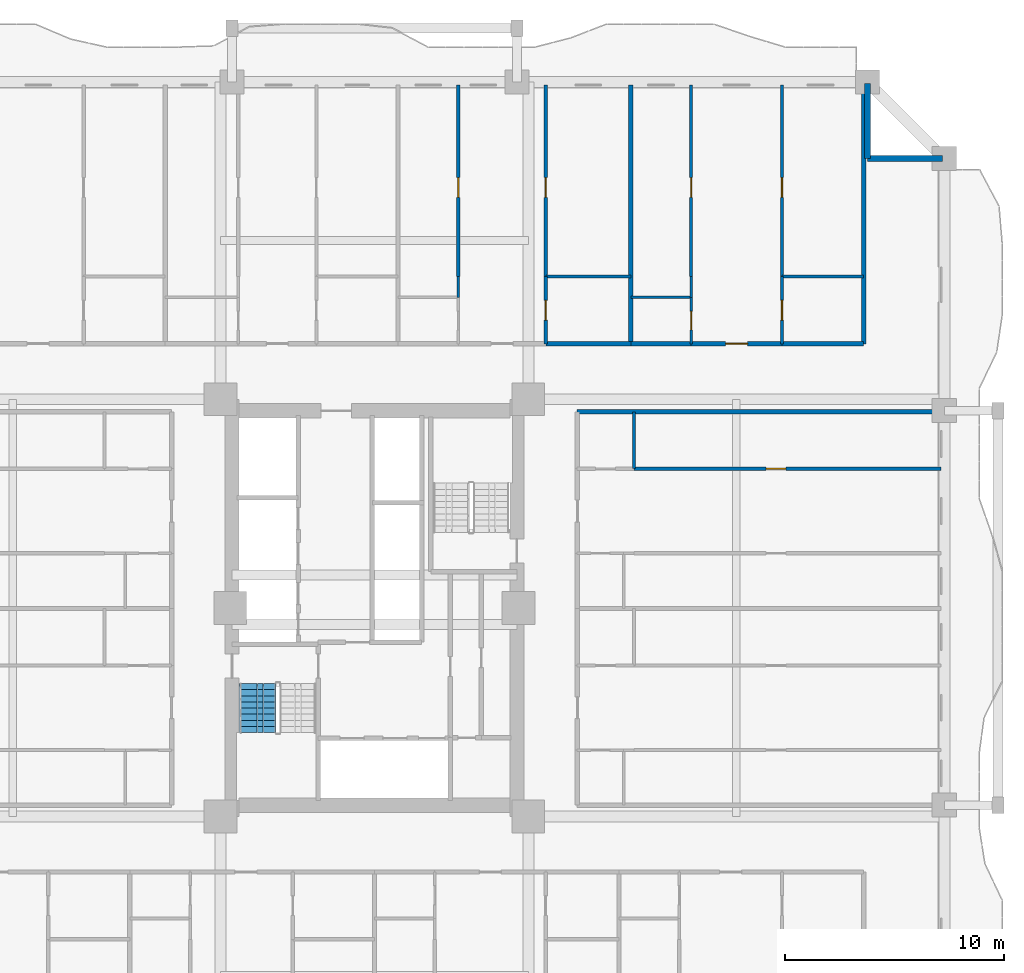
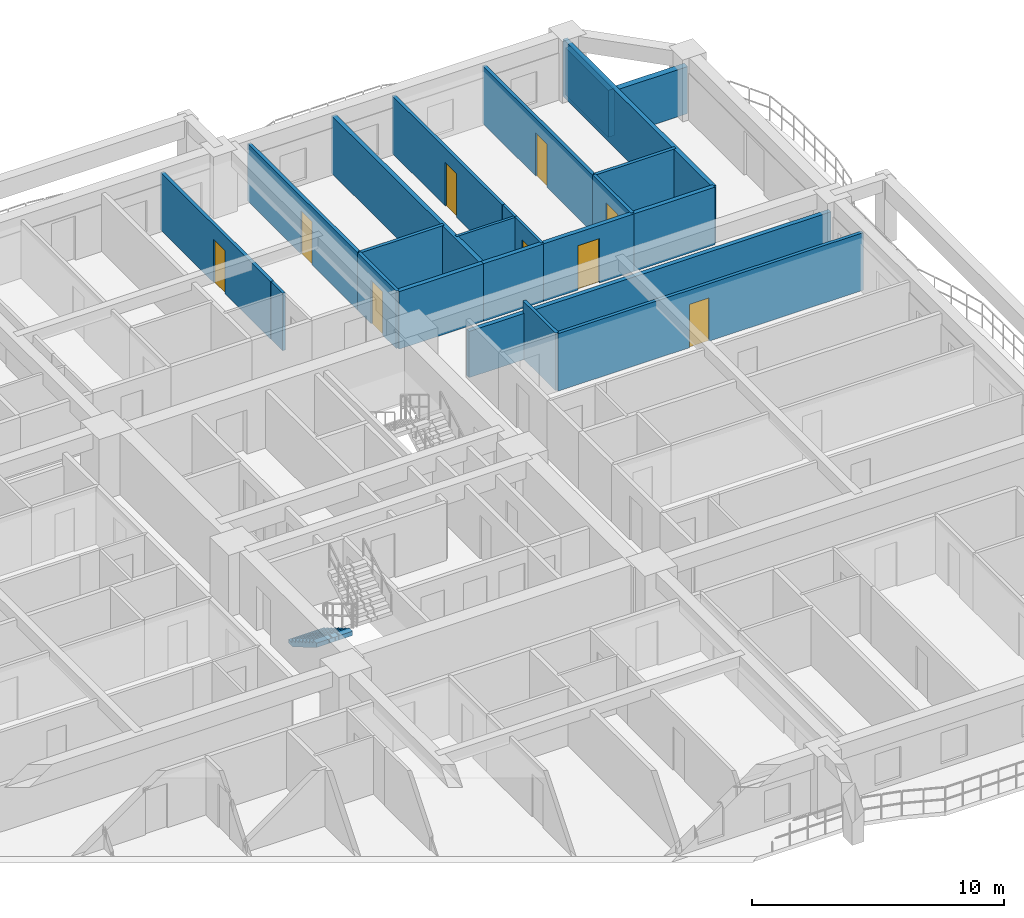
# One storey, part 8 of 16: 23 walls, 9 doors, 1 stair flight, 9 openings, 1 element without a shape of its own.
"""IFC4 building model written with IfcOpenShell, lengths in metres."""

from ifc_helpers import new_model, si_unit, direction, frame, frame_2d, origin, place, context, subcontext, project, spatial, polyline, rectangle, outline, extrude, source, transform, mapped, material, layer, layer_set, type_object, element, fill, aggregate, save


model = new_model("IFC4")

# Units and contexts
model_context = context("Model", 3, precision=1e-05, world=origin(), true_north=direction((0.0, 1.0)))
body_context = subcontext(model_context, "Body", "Model", "MODEL_VIEW")
ifc_project = project(units=[si_unit("LENGTHUNIT", "METRE"), si_unit("AREAUNIT", "SQUARE_METRE"), si_unit("VOLUMEUNIT", "CUBIC_METRE"), si_unit("PLANEANGLEUNIT", "RADIAN"), si_unit("MASSUNIT", "GRAM", prefix="KILO")], contexts=[model_context])

# Site, building, storey
site_placement = place(None, origin())
site = spatial("IfcSite", under=ifc_project, at=site_placement, CompositionType="ELEMENT")
building_placement = place(site_placement, origin())
building = spatial("IfcBuilding", under=site, at=building_placement, Name="Saelheon Loggia Tower", CompositionType="ELEMENT")
storey_placement = place(building_placement, frame((0.0, 0.0, 64.39990234375)))
storey = spatial("IfcBuildingStorey", under=building, at=storey_placement, Name="L20", CompositionType="ELEMENT", Elevation=64.39990234375)

# Walls
ifc_material_1 = material(Name="Architectural Precast Concrete C40/50", Category="concrete")
ifc_layer_1 = layer(ifc_material_1, 0.280029296875)
ifc_layer_set_1 = layer_set([ifc_layer_1], Name="Architectural Precast Concrete C40/50")
wall_type_1 = type_object("IfcWallType", Name="Wall_Ext_Loggia_280", PredefinedType="SOLIDWALL", material=ifc_layer_set_1)
for number, where, z_axis, x_axis, name in (
    (1, (60.5, 47.5, 0.0), (0.0, 0.0, 1.0), (0.0, 1.0, 0.0), "L20 Corner Notch Precast Wall NE1"),
    (2, (60.5, 47.5, 0.0), (0.0, 0.0, 1.0), (1.0, 0.0, 0.0), "L20 Corner Notch Precast Wall NE2"),
):
    element("IfcWall", number, at=place(storey_placement, frame(where, z_axis=z_axis, x_axis=x_axis)), inside=storey, type_object=wall_type_1, Name=name, PredefinedType="SOLIDWALL", context=body_context, shape_type="SweptSolid", body=[
        extrude(rectangle(XDim=3.419921875, YDim=0.280029296875, at=frame_2d((1.7099609375, 0.0))), origin(), (0.0, 0.0, 1.0), 2.280029296875),
    ])
ifc_material_2 = material(Name="Lightweight Autoclaved Aerated Concrete Block and Acoustic Gypsum", Category="concrete")
ifc_layer_2 = layer(ifc_material_2, 0.14990234375)
ifc_layer_set_2 = layer_set([ifc_layer_2], Name="Lightweight Autoclaved Aerated Concrete Block and Acoustic Gypsum")
wall_type_2 = type_object("IfcWallType", Name="Wall_Part_150", PredefinedType="PARTITIONING", material=ifc_layer_set_2)
wall_1_placement = place(storey_placement, frame((45.820068359375, 42.1201171875, 0.0), z_axis=(0.0, 0.0, 1.0), x_axis=(1.0, 0.0, 0.0)))
element("IfcWall", 3, at=wall_1_placement, inside=storey, type_object=wall_type_2, Name="L20 N Partition V31", PredefinedType="PARTITIONING", context=body_context, shape_type="SweptSolid", body=[
    extrude(rectangle(XDim=3.87744140625, YDim=0.14990234375, at=frame_2d((1.938720703125, 0.0))), origin(), (0.0, 0.0, 1.0), 2.7900390625),
])

# Wall, opening, door
wall_2_placement = place(storey_placement, frame((41.824951171875, 42.1201171875, 0.0), z_axis=(0.0, 0.0, 1.0), x_axis=(0.0, 1.0, 0.0)))
wall_2 = element("IfcWall", 4, at=wall_2_placement, inside=storey, type_object=wall_type_2, Name="L20 N Partition U34", PredefinedType="PARTITIONING", context=body_context, shape_type="SweptSolid", body=[
    extrude(rectangle(XDim=8.72998046875, YDim=0.14990234375, at=frame_2d((4.364990234375, 0.0))), origin(), (0.0, 0.0, 1.0), 2.7900390625),
])
opening_1_placement = place(wall_2_placement, frame((3.60888671875, 0.0, 0.0)))
opening_1 = element("IfcOpeningElement", 5, at=opening_1_placement, cuts=wall_2, Name="Opening D-IN2", PredefinedType="OPENING", context=body_context, shape_type="SweptSolid", body=[
    extrude(rectangle(XDim=0.89990234375, YDim=2.10009765625, at=frame_2d((0.449951171875, 1.050048828125))), frame((0.0, 0.0869140625, 0.0), z_axis=(0.0, -1.0, 0.0), x_axis=(1.0, 0.0, 0.0)), (0.0, 0.0, 1.0), 0.173828125),
])
ifc_material_3 = material(Name="Engineered Oak Flush Door", Category="timber")
door_type_1 = type_object("IfcDoorType", Name="Door_Int_900", OperationType="NOTDEFINED", PredefinedType="DOOR", material=ifc_material_3)
shared_shape_1 = source(origin(), body_context, "Body", "SweptSolid", [
    extrude(rectangle(XDim=0.89990234375, YDim=2.10009765625, at=frame_2d((0.449951171875, 1.050048828125))), frame((0.0, 0.02490234375, 0.0), z_axis=(0.0, -1.0, 0.0), x_axis=(1.0, 0.0, 0.0)), (0.0, 0.0, 1.0), 0.050048828125),
])
door_1_placement = place(opening_1_placement, origin())
door_1 = element("IfcDoor", 6, at=door_1_placement, inside=storey, type_object=door_type_1, Name="Unit U07 Kitchen Door", OperationType="SINGLE_SWING_LEFT", OverallHeight=2.10009765625, OverallWidth=0.89990234375, PredefinedType="DOOR", context=body_context, shape_type="MappedRepresentation", body=[
    mapped(shared_shape_1, transform((0.0, 0.0, 0.0), scale=1.0)),
])
fill(opening_1, door_1)

wall_3_placement = place(storey_placement, frame((45.820068359375, 39.050048828125, 0.0), z_axis=(0.0, 0.0, 1.0), x_axis=(0.0, 1.0, 0.0)))
wall_3 = element("IfcWall", 7, at=wall_3_placement, inside=storey, type_object=wall_type_2, Name="L20 N Partition U35", PredefinedType="PARTITIONING", context=body_context, shape_type="SweptSolid", body=[
    extrude(rectangle(XDim=3.070068359375, YDim=0.14990234375, at=frame_2d((1.53515625, 0.0))), origin(), (0.0, 0.0, 1.0), 2.7900390625),
])
opening_2_placement = place(wall_3_placement, frame((1.0849609375, 0.0, 0.0)))
opening_2 = element("IfcOpeningElement", 8, at=opening_2_placement, cuts=wall_3, Name="Opening D-IN2", PredefinedType="OPENING", context=body_context, shape_type="SweptSolid", body=[
    extrude(rectangle(XDim=0.89990234375, YDim=2.10009765625, at=frame_2d((0.449951171875, 1.050048828125))), frame((0.0, 0.0869140625, 0.0), z_axis=(0.0, -1.0, 0.0), x_axis=(1.0, 0.0, 0.0)), (0.0, 0.0, 1.0), 0.173828125),
])
door_2_placement = place(opening_2_placement, origin())
door_2 = element("IfcDoor", 9, at=door_2_placement, inside=storey, type_object=door_type_1, Name="Unit U07 Dressing Closet Door", OperationType="SINGLE_SWING_RIGHT", OverallHeight=2.10009765625, OverallWidth=0.89990234375, PredefinedType="DOOR", context=body_context, shape_type="MappedRepresentation", body=[
    mapped(shared_shape_1, transform((0.0, 0.0, 0.0), scale=1.0)),
])
fill(opening_2, door_2)

wall_4_placement = place(storey_placement, frame((45.820068359375, 42.1201171875, 0.0), z_axis=(0.0, 0.0, 1.0), x_axis=(0.0, 1.0, 0.0)))
wall_4 = element("IfcWall", 10, at=wall_4_placement, inside=storey, type_object=wall_type_2, Name="L20 N Partition U36", PredefinedType="PARTITIONING", context=body_context, shape_type="SweptSolid", body=[
    extrude(rectangle(XDim=8.72998046875, YDim=0.14990234375, at=frame_2d((4.364990234375, 0.0))), origin(), (0.0, 0.0, 1.0), 2.7900390625),
])
opening_3_placement = place(wall_4_placement, frame((3.60888671875, 0.0, 0.0)))
opening_3 = element("IfcOpeningElement", 11, at=opening_3_placement, cuts=wall_4, Name="Opening D-IN2", PredefinedType="OPENING", context=body_context, shape_type="SweptSolid", body=[
    extrude(rectangle(XDim=0.89990234375, YDim=2.10009765625, at=frame_2d((0.449951171875, 1.050048828125))), frame((0.0, 0.0869140625, 0.0), z_axis=(0.0, -1.0, 0.0), x_axis=(1.0, 0.0, 0.0)), (0.0, 0.0, 1.0), 0.173828125),
])
door_3_placement = place(opening_3_placement, origin())
door_3 = element("IfcDoor", 12, at=door_3_placement, inside=storey, type_object=door_type_1, Name="Unit U07 Bedroom 1 Door", OperationType="SINGLE_SWING_LEFT", OverallHeight=2.10009765625, OverallWidth=0.89990234375, PredefinedType="DOOR", context=body_context, shape_type="MappedRepresentation", body=[
    mapped(shared_shape_1, transform((0.0, 0.0, 0.0), scale=1.0)),
])
fill(opening_3, door_3)

# Wall
wall_5_placement = place(storey_placement, frame((56.59716796875, 42.1201171875, 0.0), z_axis=(0.0, 0.0, 1.0), x_axis=(1.0, 0.0, 0.0)))
element("IfcWall", 13, at=wall_5_placement, inside=storey, type_object=wall_type_2, Name="L20 N Partition V42", PredefinedType="PARTITIONING", context=body_context, shape_type="SweptSolid", body=[
    extrude(rectangle(XDim=3.722900390625, YDim=0.14990234375, at=frame_2d((1.861328125, 0.0))), origin(), (0.0, 0.0, 1.0), 2.7900390625),
])

# Wall, opening, door
wall_6_placement = place(storey_placement, frame((52.447509765625, 42.1201171875, 0.0), z_axis=(0.0, 0.0, 1.0), x_axis=(0.0, 1.0, 0.0)))
wall_6 = element("IfcWall", 14, at=wall_6_placement, inside=storey, type_object=wall_type_2, Name="L20 N Partition U45", PredefinedType="PARTITIONING", context=body_context, shape_type="SweptSolid", body=[
    extrude(rectangle(XDim=8.72998046875, YDim=0.14990234375, at=frame_2d((4.364990234375, 0.0))), origin(), (0.0, 0.0, 1.0), 2.7900390625),
])
opening_4_placement = place(wall_6_placement, frame((3.60888671875, 0.0, 0.0)))
opening_4 = element("IfcOpeningElement", 15, at=opening_4_placement, cuts=wall_6, Name="Opening D-IN2", PredefinedType="OPENING", context=body_context, shape_type="SweptSolid", body=[
    extrude(rectangle(XDim=0.89990234375, YDim=2.10009765625, at=frame_2d((0.449951171875, 1.050048828125))), frame((0.0, 0.0869140625, 0.0), z_axis=(0.0, -1.0, 0.0), x_axis=(1.0, 0.0, 0.0)), (0.0, 0.0, 1.0), 0.173828125),
])
door_4_placement = place(opening_4_placement, origin())
door_4 = element("IfcDoor", 16, at=door_4_placement, inside=storey, type_object=door_type_1, Name="Unit U08 Kitchen Door", OperationType="SINGLE_SWING_RIGHT", OverallHeight=2.10009765625, OverallWidth=0.89990234375, PredefinedType="DOOR", context=body_context, shape_type="MappedRepresentation", body=[
    mapped(shared_shape_1, transform((0.0, 0.0, 0.0), scale=1.0)),
])
fill(opening_4, door_4)

wall_7_placement = place(storey_placement, frame((56.59716796875, 39.050048828125, 0.0), z_axis=(0.0, 0.0, 1.0), x_axis=(0.0, 1.0, 0.0)))
wall_7 = element("IfcWall", 17, at=wall_7_placement, inside=storey, type_object=wall_type_2, Name="L20 N Partition U46", PredefinedType="PARTITIONING", context=body_context, shape_type="SweptSolid", body=[
    extrude(rectangle(XDim=3.070068359375, YDim=0.14990234375, at=frame_2d((1.53515625, 0.0))), origin(), (0.0, 0.0, 1.0), 2.7900390625),
])
opening_5_placement = place(wall_7_placement, frame((1.0849609375, 0.0, 0.0)))
opening_5 = element("IfcOpeningElement", 18, at=opening_5_placement, cuts=wall_7, Name="Opening D-IN2", PredefinedType="OPENING", context=body_context, shape_type="SweptSolid", body=[
    extrude(rectangle(XDim=0.89990234375, YDim=2.10009765625, at=frame_2d((0.449951171875, 1.050048828125))), frame((0.0, 0.0869140625, 0.0), z_axis=(0.0, -1.0, 0.0), x_axis=(1.0, 0.0, 0.0)), (0.0, 0.0, 1.0), 0.173828125),
])
door_5_placement = place(opening_5_placement, origin())
door_5 = element("IfcDoor", 19, at=door_5_placement, inside=storey, type_object=door_type_1, Name="Unit U08 Dressing Closet Door", OperationType="SINGLE_SWING_LEFT", OverallHeight=2.10009765625, OverallWidth=0.89990234375, PredefinedType="DOOR", context=body_context, shape_type="MappedRepresentation", body=[
    mapped(shared_shape_1, transform((0.0, 0.0, 0.0), scale=1.0)),
])
fill(opening_5, door_5)

wall_8_placement = place(storey_placement, frame((56.59716796875, 42.1201171875, 0.0), z_axis=(0.0, 0.0, 1.0), x_axis=(0.0, 1.0, 0.0)))
wall_8 = element("IfcWall", 20, at=wall_8_placement, inside=storey, type_object=wall_type_2, Name="L20 N Partition U47", PredefinedType="PARTITIONING", context=body_context, shape_type="SweptSolid", body=[
    extrude(rectangle(XDim=8.72998046875, YDim=0.14990234375, at=frame_2d((4.364990234375, 0.0))), origin(), (0.0, 0.0, 1.0), 2.7900390625),
])
opening_6_placement = place(wall_8_placement, frame((3.60888671875, 0.0, 0.0)))
opening_6 = element("IfcOpeningElement", 21, at=opening_6_placement, cuts=wall_8, Name="Opening D-IN2", PredefinedType="OPENING", context=body_context, shape_type="SweptSolid", body=[
    extrude(rectangle(XDim=0.89990234375, YDim=2.10009765625, at=frame_2d((0.449951171875, 1.050048828125))), frame((0.0, 0.0869140625, 0.0), z_axis=(0.0, -1.0, 0.0), x_axis=(1.0, 0.0, 0.0)), (0.0, 0.0, 1.0), 0.173828125),
])
door_6_placement = place(opening_6_placement, origin())
door_6 = element("IfcDoor", 22, at=door_6_placement, inside=storey, type_object=door_type_1, Name="Unit U08 Bedroom 1 Door", OperationType="SINGLE_SWING_RIGHT", OverallHeight=2.10009765625, OverallWidth=0.89990234375, PredefinedType="DOOR", context=body_context, shape_type="MappedRepresentation", body=[
    mapped(shared_shape_1, transform((0.0, 0.0, 0.0), scale=1.0)),
])
fill(opening_6, door_6)

# Wall
wall_9_placement = place(storey_placement, frame((49.840087890625, 33.35009765625, 0.0), z_axis=(0.0, 0.0, 1.0), x_axis=(0.0, 1.0, 0.0)))
element("IfcWall", 23, at=wall_9_placement, inside=storey, type_object=wall_type_2, Name="L20 E Partition V18", PredefinedType="PARTITIONING", context=body_context, shape_type="SweptSolid", body=[
    extrude(rectangle(XDim=2.599853515625, YDim=0.14990234375, at=frame_2d((1.2998046875, 0.0))), origin(), (0.0, 0.0, 1.0), 2.7900390625),
])

# Wall, opening, door
wall_10_placement = place(storey_placement, frame((49.840087890625, 33.35009765625, 0.0), z_axis=(0.0, 0.0, 1.0), x_axis=(1.0, 0.0, 0.0)))
wall_10 = element("IfcWall", 24, at=wall_10_placement, inside=storey, type_object=wall_type_2, Name="L20 E Partition U23", PredefinedType="PARTITIONING", context=body_context, shape_type="SweptSolid", body=[
    extrude(rectangle(XDim=14.010009765625, YDim=0.14990234375, at=frame_2d((7.0048828125, 0.0))), origin(), (0.0, 0.0, 1.0), 2.7900390625),
])
opening_7_placement = place(wall_10_placement, frame((6.02880859375, 0.0, 0.0)))
opening_7 = element("IfcOpeningElement", 25, at=opening_7_placement, cuts=wall_10, Name="Opening D-IN2", PredefinedType="OPENING", context=body_context, shape_type="SweptSolid", body=[
    extrude(rectangle(XDim=0.89990234375, YDim=2.10009765625, at=frame_2d((0.449951171875, 1.050048828125))), frame((0.0, 0.0869140625, 0.0), z_axis=(0.0, -1.0, 0.0), x_axis=(1.0, 0.0, 0.0)), (0.0, 0.0, 1.0), 0.173828125),
])
door_7_placement = place(opening_7_placement, origin())
door_7 = element("IfcDoor", 26, at=door_7_placement, inside=storey, type_object=door_type_1, Name="Unit U12 Bedroom 1 Door", OperationType="SINGLE_SWING_RIGHT", OverallHeight=2.10009765625, OverallWidth=0.89990234375, PredefinedType="DOOR", context=body_context, shape_type="MappedRepresentation", body=[
    mapped(shared_shape_1, transform((0.0, 0.0, 0.0), scale=1.0)),
])
fill(opening_7, door_7)

# Walls
ifc_material_4 = material(Name="Double Acoustic Stud and Fireboard Partition", Category="gypsum")
ifc_layer_3 = layer(ifc_material_4, 0.199951171875)
ifc_layer_set_3 = layer_set([ifc_layer_3], Name="Double Acoustic Stud and Fireboard Partition")
wall_type_3 = type_object("IfcWallType", Name="Wall_Party_200", PredefinedType="PARTITIONING", material=ifc_layer_set_3)
wall_11_placement = place(storey_placement, frame((60.320068359375, 39.050048828125, 0.0), z_axis=(0.0, 0.0, 1.0), x_axis=(0.0, 1.0, 0.0)))
element("IfcWall", 27, at=wall_11_placement, inside=storey, type_object=wall_type_3, Name="L20 N Partition U02", PredefinedType="PARTITIONING", context=body_context, shape_type="SweptSolid", body=[
    extrude(rectangle(XDim=11.800048828125, YDim=0.199951171875, at=frame_2d((5.89990234375, 0.0))), origin(), (0.0, 0.0, 1.0), 2.7900390625),
])
wall_12_placement = place(storey_placement, frame((45.820068359375, 39.050048828125, 0.0), z_axis=(0.0, 0.0, 1.0), x_axis=(1.0, 0.0, 0.0)))
element("IfcWall", 28, at=wall_12_placement, inside=storey, type_object=wall_type_3, Name="L20 N Partition V29", PredefinedType="PARTITIONING", context=body_context, shape_type="SweptSolid", body=[
    extrude(rectangle(XDim=3.87744140625, YDim=0.199951171875, at=frame_2d((1.938720703125, 0.0))), origin(), (0.0, 0.0, 1.0), 2.7900390625),
])
wall_13_placement = place(storey_placement, frame((49.697509765625, 39.050048828125, 0.0), z_axis=(0.0, 0.0, 1.0), x_axis=(0.0, 1.0, 0.0)))
element("IfcWall", 29, at=wall_13_placement, inside=storey, type_object=wall_type_3, Name="L20 N Partition U37", PredefinedType="PARTITIONING", context=body_context, shape_type="SweptSolid", body=[
    extrude(rectangle(XDim=11.800048828125, YDim=0.199951171875, at=frame_2d((5.89990234375, 0.0))), origin(), (0.0, 0.0, 1.0), 2.7900390625),
])
wall_14_placement = place(storey_placement, frame((49.697509765625, 39.050048828125, 0.0), z_axis=(0.0, 0.0, 1.0), x_axis=(1.0, 0.0, 0.0)))
element("IfcWall", 30, at=wall_14_placement, inside=storey, type_object=wall_type_3, Name="L20 N Partition V38", PredefinedType="PARTITIONING", context=body_context, shape_type="SweptSolid", body=[
    extrude(rectangle(XDim=2.75, YDim=0.199951171875, at=frame_2d((1.375, 0.0))), origin(), (0.0, 0.0, 1.0), 2.7900390625),
])

# Wall, opening, door
wall_15_placement = place(storey_placement, frame((52.447509765625, 39.050048828125, 0.0), z_axis=(0.0, 0.0, 1.0), x_axis=(1.0, 0.0, 0.0)))
wall_15 = element("IfcWall", 31, at=wall_15_placement, inside=storey, type_object=wall_type_3, Name="L20 N Partition V39", PredefinedType="PARTITIONING", context=body_context, shape_type="SweptSolid", body=[
    extrude(rectangle(XDim=4.149658203125, YDim=0.199951171875, at=frame_2d((2.07470703125, 0.0))), origin(), (0.0, 0.0, 1.0), 2.7900390625),
])
opening_8_placement = place(wall_15_placement, frame((1.574951171875, 0.0, 0.0)))
opening_8 = element("IfcOpeningElement", 32, at=opening_8_placement, cuts=wall_15, Name="Opening D-FD1", PredefinedType="OPENING", context=body_context, shape_type="SweptSolid", body=[
    extrude(rectangle(XDim=1.0, YDim=2.14990234375, at=frame_2d((0.5, 1.074951171875))), frame((0.0, 0.112060546875, 0.0), z_axis=(0.0, -1.0, 0.0), x_axis=(1.0, 0.0, 0.0)), (0.0, 0.0, 1.0), 0.223876953125),
])
ifc_material_5 = material(Name="Fire-Rated Engineered Timber Entrance Door", Category="wood")
door_type_2 = type_object("IfcDoorType", Name="Door_Flat_FD30S", OperationType="NOTDEFINED", PredefinedType="DOOR", material=ifc_material_5)
shared_shape_2 = source(origin(), body_context, "Body", "SweptSolid", [
    extrude(rectangle(XDim=1.0, YDim=2.14990234375, at=frame_2d((0.5, 1.074951171875))), frame((0.0, 0.02490234375, 0.0), z_axis=(0.0, -1.0, 0.0), x_axis=(1.0, 0.0, 0.0)), (0.0, 0.0, 1.0), 0.050048828125),
])
door_8_placement = place(opening_8_placement, origin())
door_8 = element("IfcDoor", 33, at=door_8_placement, inside=storey, type_object=door_type_2, Name="Unit U08 Entrance Door", OperationType="SINGLE_SWING_RIGHT", OverallHeight=2.14990234375, OverallWidth=1.0, PredefinedType="DOOR", context=body_context, shape_type="MappedRepresentation", body=[
    mapped(shared_shape_2, transform((0.0, 0.0, 0.0), scale=1.0)),
])
fill(opening_8, door_8)

# Walls
wall_16_placement = place(storey_placement, frame((56.59716796875, 39.050048828125, 0.0), z_axis=(0.0, 0.0, 1.0), x_axis=(1.0, 0.0, 0.0)))
element("IfcWall", 34, at=wall_16_placement, inside=storey, type_object=wall_type_3, Name="L20 N Partition V40", PredefinedType="PARTITIONING", context=body_context, shape_type="SweptSolid", body=[
    extrude(rectangle(XDim=3.722900390625, YDim=0.199951171875, at=frame_2d((1.861328125, 0.0))), origin(), (0.0, 0.0, 1.0), 2.7900390625),
])
wall_17_placement = place(storey_placement, frame((47.25, 35.949951171875, 0.0), z_axis=(0.0, 0.0, 1.0), x_axis=(1.0, 0.0, 0.0)))
element("IfcWall", 35, at=wall_17_placement, inside=storey, type_object=wall_type_3, Name="L20 E Partition U02", PredefinedType="PARTITIONING", context=body_context, shape_type="SweptSolid", body=[
    extrude(rectangle(XDim=16.60009765625, YDim=0.199951171875, at=frame_2d((8.300048828125, 0.0))), origin(), (0.0, 0.0, 1.0), 2.239990234375),
])
ifc_material_6 = material(Name="Moisture-Resistant Cement Board Partition", Category="gypsum")
ifc_layer_4 = layer(ifc_material_6, 0.1201171875)
ifc_layer_set_4 = layer_set([ifc_layer_4], Name="Moisture-Resistant Cement Board Partition")
wall_type_4 = type_object("IfcWallType", Name="Wall_WetPart_120", PredefinedType="PARTITIONING", material=ifc_layer_set_4)
wall_18_placement = place(storey_placement, frame((41.824951171875, 41.169921875, 0.0), z_axis=(0.0, 0.0, 1.0), x_axis=(0.0, 1.0, 0.0)))
element("IfcWall", 36, at=wall_18_placement, inside=storey, type_object=wall_type_4, Name="L20 N Partition U33", PredefinedType="PARTITIONING", context=body_context, shape_type="SweptSolid", body=[
    extrude(rectangle(XDim=0.9501953125, YDim=0.1201171875, at=frame_2d((0.47509765625, 0.0))), origin(), (0.0, 0.0, 1.0), 2.7900390625),
])
wall_19_placement = place(storey_placement, frame((49.697509765625, 41.169921875, 0.0), z_axis=(0.0, 0.0, 1.0), x_axis=(1.0, 0.0, 0.0)))
element("IfcWall", 37, at=wall_19_placement, inside=storey, type_object=wall_type_4, Name="L20 N Partition V41", PredefinedType="PARTITIONING", context=body_context, shape_type="SweptSolid", body=[
    extrude(rectangle(XDim=2.75, YDim=0.1201171875, at=frame_2d((1.375, 0.0))), origin(), (0.0, 0.0, 1.0), 2.7900390625),
])

# Wall, opening, door
wall_20_placement = place(storey_placement, frame((52.447509765625, 39.050048828125, 0.0), z_axis=(0.0, 0.0, 1.0), x_axis=(0.0, 1.0, 0.0)))
wall_20 = element("IfcWall", 38, at=wall_20_placement, inside=storey, type_object=wall_type_4, Name="L20 N Partition U43", PredefinedType="PARTITIONING", context=body_context, shape_type="SweptSolid", body=[
    extrude(rectangle(XDim=2.119873046875, YDim=0.1201171875, at=frame_2d((1.06005859375, 0.0))), origin(), (0.0, 0.0, 1.0), 2.7900390625),
])
opening_9_placement = place(wall_20_placement, frame((0.635009765625, 0.0, 0.0)))
opening_9 = element("IfcOpeningElement", 39, at=opening_9_placement, cuts=wall_20, Name="Opening D-BT1", PredefinedType="OPENING", context=body_context, shape_type="SweptSolid", body=[
    extrude(rectangle(XDim=0.85009765625, YDim=2.050048828125, at=frame_2d((0.425048828125, 1.02490234375))), frame((0.0, 0.072021484375, 0.0), z_axis=(0.0, -1.0, 0.0), x_axis=(1.0, 0.0, 0.0)), (0.0, 0.0, 1.0), 0.14404296875),
])
ifc_material_7 = material(Name="Moisture-Resistant Laminate Timber Door", Category="wood")
door_type_3 = type_object("IfcDoorType", Name="Door_Bath_850", OperationType="NOTDEFINED", PredefinedType="DOOR", material=ifc_material_7)
shared_shape_3 = source(origin(), body_context, "Body", "SweptSolid", [
    extrude(rectangle(XDim=0.85009765625, YDim=2.050048828125, at=frame_2d((0.425048828125, 1.02490234375))), frame((0.0, 0.02490234375, 0.0), z_axis=(0.0, -1.0, 0.0), x_axis=(1.0, 0.0, 0.0)), (0.0, 0.0, 1.0), 0.050048828125),
])
door_9_placement = place(opening_9_placement, origin())
door_9 = element("IfcDoor", 40, at=door_9_placement, inside=storey, type_object=door_type_3, Name="Unit U08 Bathroom Door", OperationType="SINGLE_SWING_LEFT", OverallHeight=2.050048828125, OverallWidth=0.85009765625, PredefinedType="DOOR", context=body_context, shape_type="MappedRepresentation", body=[
    mapped(shared_shape_3, transform((0.0, 0.0, 0.0), scale=1.0)),
])
fill(opening_9, door_9)

# Wall
wall_21_placement = place(storey_placement, frame((52.447509765625, 41.169921875, 0.0), z_axis=(0.0, 0.0, 1.0), x_axis=(0.0, 1.0, 0.0)))
element("IfcWall", 41, at=wall_21_placement, inside=storey, type_object=wall_type_4, Name="L20 N Partition U44", PredefinedType="PARTITIONING", context=body_context, shape_type="SweptSolid", body=[
    extrude(rectangle(XDim=0.9501953125, YDim=0.1201171875, at=frame_2d((0.47509765625, 0.0))), origin(), (0.0, 0.0, 1.0), 2.7900390625),
])

# Stair, stair flight
ifc_material_8 = material(Name="Concrete C40/50", Category="concrete")
stair_type = type_object("IfcStairType", Name="Stair_Escape_Core", PredefinedType="HALF_TURN_STAIR", material=ifc_material_8)
stair_placement = place(storey_placement, origin())
stair = element("IfcStair", 42, at=stair_placement, inside=storey, type_object=stair_type, Name="L20 Special Escape Stair ST1", PredefinedType="HALF_TURN_STAIR")
stair_flight_type = type_object("IfcStairFlightType", Name="StairFlight_Tower_1660", PredefinedType="STRAIGHT", material=ifc_material_8)
stair_flight_placement = place(storey_placement, frame((32.679931640625, 23.550048828125, 0.0), z_axis=(0.0, 0.0, 1.0), x_axis=(0.0, -1.0, 0.0)))
stair_flight = element("IfcStairFlight", 43, at=stair_flight_placement, type_object=stair_flight_type, Name="ST1 flight 1", NumberOfRisers=9, NumberOfTreads=8, PredefinedType="STRAIGHT", RiserHeight=0.166666667, TreadLength=0.28, context=body_context, shape_type="SweptSolid", body=[
    extrude(outline(polyline([(0.0, 0.0), (0.0, 0.166748046875), (0.280029296875, 0.166748046875), (0.280029296875, 0.333251953125), (0.56005859375, 0.333251953125), (0.56005859375, 0.5), (0.840087890625, 0.5), (0.840087890625, 0.666748046875), (1.1201171875, 0.666748046875), (1.1201171875, 0.833251953125), (1.39990234375, 0.833251953125), (1.39990234375, 1.0), (1.679931640625, 1.0), (1.679931640625, 1.166748046875), (1.9599609375, 1.166748046875), (1.9599609375, 1.333251953125), (2.239990234375, 1.333251953125), (2.239990234375, 1.5), (2.239990234375, 1.1240234375), (0.351806640625, 0.0), (0.0, 0.0)])), frame((0.0, -0.2490234375, 0.0), z_axis=(0.0, -1.0, 0.0), x_axis=(1.0, 0.0, 0.0)), (0.0, 0.0, 1.0), 0.5810546875),
    extrude(outline(polyline([(0.0, 0.0), (0.0, 0.166748046875), (0.280029296875, 0.166748046875), (0.280029296875, 0.333251953125), (0.56005859375, 0.333251953125), (0.56005859375, 0.5), (0.840087890625, 0.5), (0.840087890625, 0.666748046875), (1.1201171875, 0.666748046875), (1.1201171875, 0.833251953125), (1.39990234375, 0.833251953125), (1.39990234375, 1.0), (1.679931640625, 1.0), (1.679931640625, 1.166748046875), (1.9599609375, 1.166748046875), (1.9599609375, 1.333251953125), (2.239990234375, 1.333251953125), (2.239990234375, 1.5), (2.239990234375, 1.1240234375), (0.351806640625, 0.0), (0.0, 0.0)])), frame((0.0, -0.194091796875, 0.0), z_axis=(0.0, -1.0, 0.0), x_axis=(1.0, 0.0, 0.0)), (0.0, 0.0, 1.0), 0.0498046875),
    extrude(outline(polyline([(0.0, 0.0), (0.0, 0.166748046875), (0.280029296875, 0.166748046875), (0.280029296875, 0.333251953125), (0.56005859375, 0.333251953125), (0.56005859375, 0.5), (0.840087890625, 0.5), (0.840087890625, 0.666748046875), (1.1201171875, 0.666748046875), (1.1201171875, 0.833251953125), (1.39990234375, 0.833251953125), (1.39990234375, 1.0), (1.679931640625, 1.0), (1.679931640625, 1.166748046875), (1.9599609375, 1.166748046875), (1.9599609375, 1.333251953125), (2.239990234375, 1.333251953125), (2.239990234375, 1.5), (2.239990234375, 1.1240234375), (0.351806640625, 0.0), (0.0, 0.0)])), frame((0.0, -0.139404296875, 0.0), z_axis=(0.0, -1.0, 0.0), x_axis=(1.0, 0.0, 0.0)), (0.0, 0.0, 1.0), 0.0498046875),
    extrude(outline(polyline([(0.0, 0.0), (0.0, 0.166748046875), (0.280029296875, 0.166748046875), (0.280029296875, 0.333251953125), (0.56005859375, 0.333251953125), (0.56005859375, 0.5), (0.840087890625, 0.5), (0.840087890625, 0.666748046875), (1.1201171875, 0.666748046875), (1.1201171875, 0.833251953125), (1.39990234375, 0.833251953125), (1.39990234375, 1.0), (1.679931640625, 1.0), (1.679931640625, 1.166748046875), (1.9599609375, 1.166748046875), (1.9599609375, 1.333251953125), (2.239990234375, 1.333251953125), (2.239990234375, 1.5), (2.239990234375, 1.1240234375), (0.351806640625, 0.0), (0.0, 0.0)])), frame((0.0, -0.084716796875, 0.0), z_axis=(0.0, -1.0, 0.0), x_axis=(1.0, 0.0, 0.0)), (0.0, 0.0, 1.0), 0.0498046875),
    extrude(outline(polyline([(0.0, 0.0), (0.0, 0.166748046875), (0.280029296875, 0.166748046875), (0.280029296875, 0.333251953125), (0.56005859375, 0.333251953125), (0.56005859375, 0.5), (0.840087890625, 0.5), (0.840087890625, 0.666748046875), (1.1201171875, 0.666748046875), (1.1201171875, 0.833251953125), (1.39990234375, 0.833251953125), (1.39990234375, 1.0), (1.679931640625, 1.0), (1.679931640625, 1.166748046875), (1.9599609375, 1.166748046875), (1.9599609375, 1.333251953125), (2.239990234375, 1.333251953125), (2.239990234375, 1.5), (2.239990234375, 1.1240234375), (0.351806640625, 0.0), (0.0, 0.0)])), frame((0.0, -0.02978515625, 0.0), z_axis=(0.0, -1.0, 0.0), x_axis=(1.0, 0.0, 0.0)), (0.0, 0.0, 1.0), 0.0498046875),
    extrude(outline(polyline([(0.0, 0.0), (0.0, 0.166748046875), (0.280029296875, 0.166748046875), (0.280029296875, 0.333251953125), (0.56005859375, 0.333251953125), (0.56005859375, 0.5), (0.840087890625, 0.5), (0.840087890625, 0.666748046875), (1.1201171875, 0.666748046875), (1.1201171875, 0.833251953125), (1.39990234375, 0.833251953125), (1.39990234375, 1.0), (1.679931640625, 1.0), (1.679931640625, 1.166748046875), (1.9599609375, 1.166748046875), (1.9599609375, 1.333251953125), (2.239990234375, 1.333251953125), (2.239990234375, 1.5), (2.239990234375, 1.1240234375), (0.351806640625, 0.0), (0.0, 0.0)])), frame((0.0, 0.02490234375, 0.0), z_axis=(0.0, -1.0, 0.0), x_axis=(1.0, 0.0, 0.0)), (0.0, 0.0, 1.0), 0.0498046875),
    extrude(outline(polyline([(0.0, 0.0), (0.0, 0.166748046875), (0.280029296875, 0.166748046875), (0.280029296875, 0.333251953125), (0.56005859375, 0.333251953125), (0.56005859375, 0.5), (0.840087890625, 0.5), (0.840087890625, 0.666748046875), (1.1201171875, 0.666748046875), (1.1201171875, 0.833251953125), (1.39990234375, 0.833251953125), (1.39990234375, 1.0), (1.679931640625, 1.0), (1.679931640625, 1.166748046875), (1.9599609375, 1.166748046875), (1.9599609375, 1.333251953125), (2.239990234375, 1.333251953125), (2.239990234375, 1.5), (2.239990234375, 1.1240234375), (0.351806640625, 0.0), (0.0, 0.0)])), frame((0.0, 0.07958984375, 0.0), z_axis=(0.0, -1.0, 0.0), x_axis=(1.0, 0.0, 0.0)), (0.0, 0.0, 1.0), 0.0498046875),
    extrude(outline(polyline([(0.0, 0.0), (0.0, 0.166748046875), (0.280029296875, 0.166748046875), (0.280029296875, 0.333251953125), (0.56005859375, 0.333251953125), (0.56005859375, 0.5), (0.840087890625, 0.5), (0.840087890625, 0.666748046875), (1.1201171875, 0.666748046875), (1.1201171875, 0.833251953125), (1.39990234375, 0.833251953125), (1.39990234375, 1.0), (1.679931640625, 1.0), (1.679931640625, 1.166748046875), (1.9599609375, 1.166748046875), (1.9599609375, 1.333251953125), (2.239990234375, 1.333251953125), (2.239990234375, 1.5), (2.239990234375, 1.1240234375), (0.351806640625, 0.0), (0.0, 0.0)])), frame((0.0, 0.134521484375, 0.0), z_axis=(0.0, -1.0, 0.0), x_axis=(1.0, 0.0, 0.0)), (0.0, 0.0, 1.0), 0.0498046875),
    extrude(outline(polyline([(0.0, 0.0), (0.0, 0.166748046875), (0.280029296875, 0.166748046875), (0.280029296875, 0.333251953125), (0.56005859375, 0.333251953125), (0.56005859375, 0.5), (0.840087890625, 0.5), (0.840087890625, 0.666748046875), (1.1201171875, 0.666748046875), (1.1201171875, 0.833251953125), (1.39990234375, 0.833251953125), (1.39990234375, 1.0), (1.679931640625, 1.0), (1.679931640625, 1.166748046875), (1.9599609375, 1.166748046875), (1.9599609375, 1.333251953125), (2.239990234375, 1.333251953125), (2.239990234375, 1.5), (2.239990234375, 1.1240234375), (0.351806640625, 0.0), (0.0, 0.0)])), frame((0.0, 0.189208984375, 0.0), z_axis=(0.0, -1.0, 0.0), x_axis=(1.0, 0.0, 0.0)), (0.0, 0.0, 1.0), 0.0498046875),
    extrude(outline(polyline([(0.0, 0.0), (0.0, 0.166748046875), (0.280029296875, 0.166748046875), (0.280029296875, 0.333251953125), (0.56005859375, 0.333251953125), (0.56005859375, 0.5), (0.840087890625, 0.5), (0.840087890625, 0.666748046875), (1.1201171875, 0.666748046875), (1.1201171875, 0.833251953125), (1.39990234375, 0.833251953125), (1.39990234375, 1.0), (1.679931640625, 1.0), (1.679931640625, 1.166748046875), (1.9599609375, 1.166748046875), (1.9599609375, 1.333251953125), (2.239990234375, 1.333251953125), (2.239990234375, 1.5), (2.239990234375, 1.1240234375), (0.351806640625, 0.0), (0.0, 0.0)])), frame((0.0, 0.243896484375, 0.0), z_axis=(0.0, -1.0, 0.0), x_axis=(1.0, 0.0, 0.0)), (0.0, 0.0, 1.0), 0.0498046875),
    extrude(outline(polyline([(0.0, 0.0), (0.0, 0.166748046875), (0.280029296875, 0.166748046875), (0.280029296875, 0.333251953125), (0.56005859375, 0.333251953125), (0.56005859375, 0.5), (0.840087890625, 0.5), (0.840087890625, 0.666748046875), (1.1201171875, 0.666748046875), (1.1201171875, 0.833251953125), (1.39990234375, 0.833251953125), (1.39990234375, 1.0), (1.679931640625, 1.0), (1.679931640625, 1.166748046875), (1.9599609375, 1.166748046875), (1.9599609375, 1.333251953125), (2.239990234375, 1.333251953125), (2.239990234375, 1.5), (2.239990234375, 1.1240234375), (0.351806640625, 0.0), (0.0, 0.0)])), frame((0.0, 0.830078125, 0.0), z_axis=(0.0, -1.0, 0.0), x_axis=(1.0, 0.0, 0.0)), (0.0, 0.0, 1.0), 0.5810546875),
])
aggregate(stair, [stair_flight])

save(model, "model.ifc")
